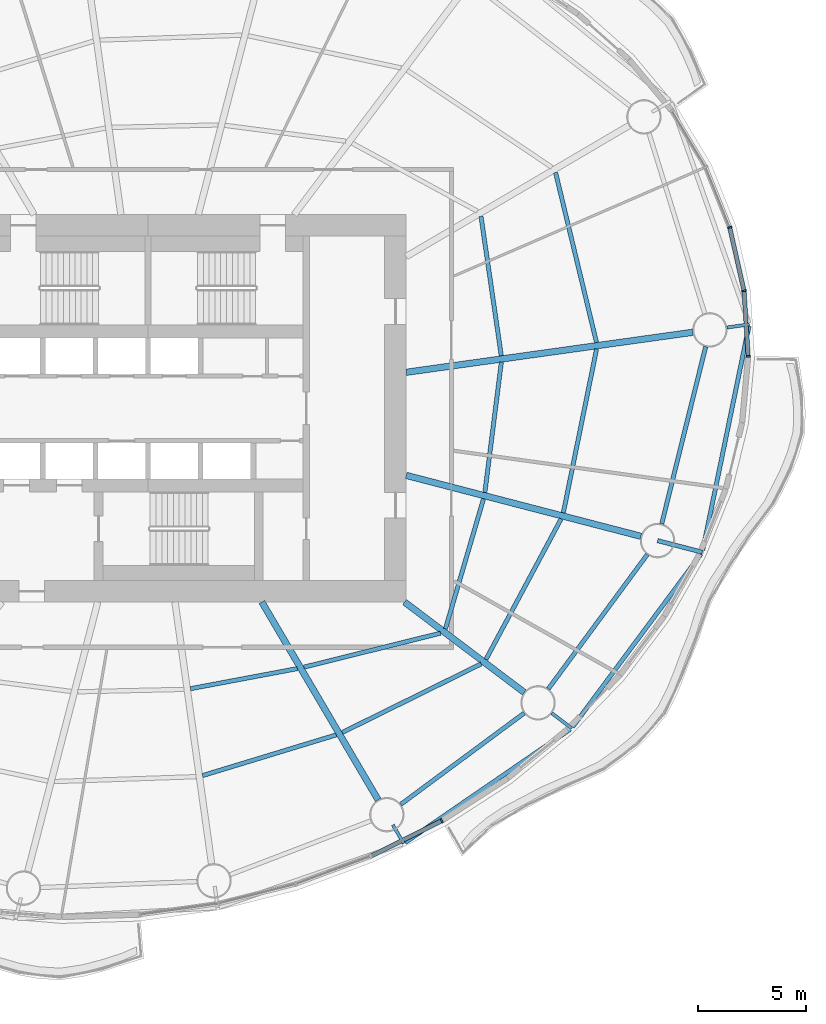
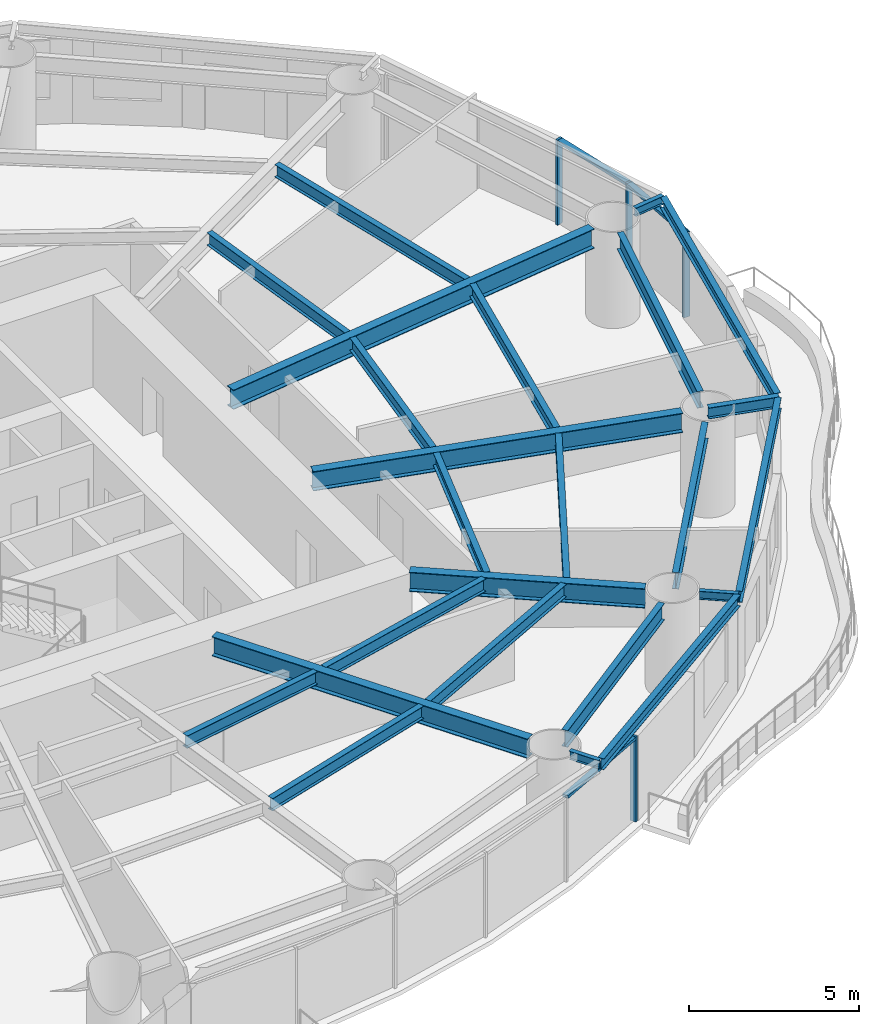
# One storey, part 4 of 16: 24 beams, 7 members, 4 elements without a shape of their own.
"""IFC4 building model written with IfcOpenShell, lengths in metres."""

from ifc_helpers import new_model, si_unit, direction, frame, origin, origin_2d, place, context, subcontext, project, spatial, rectangle, i_section, extrude, material, material_profile, profile_set, type_object, element, aggregate, save


model = new_model("IFC4")

# Units and contexts
model_context = context("Model", 3, precision=1e-05, world=origin(), true_north=direction((0.0, 1.0)))
body_context = subcontext(model_context, "Body", "Model", "MODEL_VIEW")
ifc_project = project(units=[si_unit("LENGTHUNIT", "METRE"), si_unit("AREAUNIT", "SQUARE_METRE"), si_unit("VOLUMEUNIT", "CUBIC_METRE"), si_unit("PLANEANGLEUNIT", "RADIAN"), si_unit("MASSUNIT", "GRAM", prefix="KILO")], contexts=[model_context])

# Site, building, storey
site_placement = place(None, origin())
site = spatial("IfcSite", under=ifc_project, at=site_placement, CompositionType="ELEMENT")
building_placement = place(site_placement, origin())
building = spatial("IfcBuilding", under=site, at=building_placement, Name="Vermilion Reach Broadcast Tower", CompositionType="ELEMENT")
storey_placement = place(building_placement, frame((0.0, 0.0, 103.0)))
storey = spatial("IfcBuildingStorey", under=building, at=storey_placement, Name="L23", CompositionType="ELEMENT", Elevation=103.0)

# Beams
ifc_material_1 = material(Name="Steel S355J2", Category="steel")
ifc_material_profile_1 = material_profile(ifc_material_1, i_section(OverallWidth=0.199951171875, OverallDepth=0.39990234375, WebThickness=0.008056640625, FlangeThickness=0.012939453125, at=origin_2d()), Name="S355J2 HN 400x200x8x13")
ifc_profile_set_1 = profile_set([ifc_material_profile_1], Name="Steel S355J2")
beam_type_1 = type_object("IfcBeamType", Name="EB2 HN 400x200x8x13", PredefinedType="BEAM", material=ifc_profile_set_1)
beam_1_placement = place(storey_placement, frame((5.9482421875, -20.176513671875, 3.25), z_axis=(0.824444973013, 0.565942122901, 0.0), x_axis=(-0.565942122901, 0.824444973013, 0.0)))
element("IfcBeam", 1, at=beam_1_placement, inside=storey, type_object=beam_type_1, Name="Edge beam EB2-13", PredefinedType="BEAM", context=body_context, shape_type="SweptSolid", body=[
    extrude(i_section(OverallWidth=0.199951171875, OverallDepth=0.39990234375, WebThickness=0.008056640625, FlangeThickness=0.012939453125, at=origin_2d()), origin(), (0.0, 0.0, 1.0), 9.309326171875),
])
beam_2_placement = place(storey_placement, frame((13.733154296875, -14.802978515625, 3.25), z_axis=(0.596000802444, 0.802983837624, 0.0), x_axis=(-0.802983837624, 0.596000802444, 0.0)))
element("IfcBeam", 2, at=beam_2_placement, inside=storey, type_object=beam_type_1, Name="Edge beam EB2-14", PredefinedType="BEAM", context=body_context, shape_type="SweptSolid", body=[
    extrude(i_section(OverallWidth=0.199951171875, OverallDepth=0.39990234375, WebThickness=0.008056640625, FlangeThickness=0.012939453125, at=origin_2d()), origin(), (0.0, 0.0, 1.0), 10.001220703125),
])
beam_3_placement = place(storey_placement, frame((19.7783203125, -6.58740234375, 3.25), z_axis=(0.201942572972, 0.979397364312, 0.0), x_axis=(-0.979397364312, 0.201942572972, 0.0)))
element("IfcBeam", 3, at=beam_3_placement, inside=storey, type_object=beam_type_1, Name="Edge beam EB2-15", PredefinedType="BEAM", context=body_context, shape_type="SweptSolid", body=[
    extrude(i_section(OverallWidth=0.199951171875, OverallDepth=0.39990234375, WebThickness=0.008056640625, FlangeThickness=0.012939453125, at=origin_2d()), origin(), (0.0, 0.0, 1.0), 10.63037109375),
])
ifc_material_2 = material(Name="Steel S355J2", Category="steel")
ifc_material_profile_2 = material_profile(ifc_material_2, i_section(OverallWidth=0.300048828125, OverallDepth=0.699951171875, WebThickness=0.012939453125, FlangeThickness=0.02392578125, at=origin_2d()), Name="S355J2 HN 700x300x13x24")
ifc_profile_set_2 = profile_set([ifc_material_profile_2], Name="Steel S355J2")
beam_type_2 = type_object("IfcBeamType", Name="G2 HN 700x300x13x24", PredefinedType="BEAM", material=ifc_profile_set_2)
beam_4_placement = place(storey_placement, frame((-0.709228515625, -9.0, 3.10009765625), z_axis=(0.506783943634, -0.862073102744, 0.0), x_axis=(0.862073102744, 0.506783943634, 0.0)))
element("IfcBeam", 4, at=beam_4_placement, inside=storey, type_object=beam_type_2, Name="Girder G2-13", PredefinedType="BEAM", context=body_context, shape_type="SweptSolid", body=[
    extrude(i_section(OverallWidth=0.300048828125, OverallDepth=0.699951171875, WebThickness=0.012939453125, FlangeThickness=0.02392578125, at=origin_2d()), origin(), (0.0, 0.0, 1.0), 10.661865234375),
])
beam_5_placement = place(storey_placement, frame((5.921630859375, -9.0, 3.10009765625), z_axis=(0.798113534072, -0.602507084382, 0.0), x_axis=(0.602507084382, 0.798113534072, 0.0)))
element("IfcBeam", 5, at=beam_5_placement, inside=storey, type_object=beam_type_2, Name="Girder G2-14", PredefinedType="BEAM", context=body_context, shape_type="SweptSolid", body=[
    extrude(i_section(OverallWidth=0.300048828125, OverallDepth=0.699951171875, WebThickness=0.012939453125, FlangeThickness=0.02392578125, at=origin_2d()), origin(), (0.0, 0.0, 1.0), 6.971923828125),
])
beam_6_placement = place(storey_placement, frame((6.0, -3.114501953125, 3.10009765625), z_axis=(0.967926079816, -0.2512351568, 0.0), x_axis=(0.2512351568, 0.967926079816, 0.0)))
element("IfcBeam", 6, at=beam_6_placement, inside=storey, type_object=beam_type_2, Name="Girder G2-15", PredefinedType="BEAM", context=body_context, shape_type="SweptSolid", body=[
    extrude(i_section(OverallWidth=0.300048828125, OverallDepth=0.699951171875, WebThickness=0.012939453125, FlangeThickness=0.02392578125, at=origin_2d()), origin(), (0.0, 0.0, 1.0), 11.265625),
])
beam_7_placement = place(storey_placement, frame((6.0, 1.67578125, 3.10009765625), z_axis=(0.990389457618, 0.138306623986, 0.0), x_axis=(-0.138306623986, 0.990389457618, 0.0)))
element("IfcBeam", 7, at=beam_7_placement, inside=storey, type_object=beam_type_2, Name="Girder G2-16", PredefinedType="BEAM", context=body_context, shape_type="SweptSolid", body=[
    extrude(i_section(OverallWidth=0.300048828125, OverallDepth=0.699951171875, WebThickness=0.012939453125, FlangeThickness=0.02392578125, at=origin_2d()), origin(), (0.0, 0.0, 1.0), 13.445556640625),
])
ifc_material_3 = material(Name="Steel S355J2", Category="steel")
ifc_material_profile_3 = material_profile(ifc_material_3, i_section(OverallWidth=0.199951171875, OverallDepth=0.39990234375, WebThickness=0.008056640625, FlangeThickness=0.012939453125, at=origin_2d()), Name="S355J2 HN 400x200x8x13")
ifc_profile_set_3 = profile_set([ifc_material_profile_3], Name="Steel S355J2")
beam_type_3 = type_object("IfcBeamType", Name="GC2 HN 400x200x8x13", PredefinedType="BEAM", material=ifc_profile_set_3)
beam_8_placement = place(storey_placement, frame((17.6787109375, -6.145751953125, 3.25), z_axis=(0.967917093064, -0.251269777241, 0.0), x_axis=(0.251269777241, 0.967917093064, 0.0)))
element("IfcBeam", 8, at=beam_8_placement, inside=storey, type_object=beam_type_3, Name="Cantilever girder GC2-15", PredefinedType="BEAM", context=body_context, shape_type="SweptSolid", body=[
    extrude(i_section(OverallWidth=0.199951171875, OverallDepth=0.39990234375, WebThickness=0.008056640625, FlangeThickness=0.012939453125, at=origin_2d()), origin(), (0.0, 0.0, 1.0), 2.148193359375),
])
ifc_material_4 = material(Name="Steel S355J2", Category="steel")
ifc_material_profile_4 = material_profile(ifc_material_4, i_section(OverallWidth=0.14990234375, OverallDepth=0.300048828125, WebThickness=0.006591796875, FlangeThickness=0.009033203125, at=origin_2d()), Name="S355J2 HN 300x150x6.5x9")
ifc_profile_set_4 = profile_set([ifc_material_profile_4], Name="Steel S355J2")
beam_type_4 = type_object("IfcBeamType", Name="GS2 HN 300x150x6.5x9", PredefinedType="BEAM", material=ifc_profile_set_4)
beam_9_placement = place(storey_placement, frame((5.37939453125, -19.35693359375, 3.300048828125), z_axis=(0.506828068037, -0.862047161964, 0.0), x_axis=(0.862047161964, 0.506828068037, 0.0)))
element("IfcBeam", 9, at=beam_9_placement, inside=storey, type_object=beam_type_4, Name="Cantilever stub GS2-13", PredefinedType="BEAM", context=body_context, shape_type="SweptSolid", body=[
    extrude(i_section(OverallWidth=0.14990234375, OverallDepth=0.300048828125, WebThickness=0.006591796875, FlangeThickness=0.009033203125, at=origin_2d()), origin(), (0.0, 0.0, 1.0), 1.0),
])
beam_10_placement = place(storey_placement, frame((12.762939453125, -14.16455078125, 3.300048828125), z_axis=(0.798101283715, -0.602523311526, 0.0), x_axis=(0.602523311526, 0.798101283715, 0.0)))
element("IfcBeam", 10, at=beam_10_placement, inside=storey, type_object=beam_type_4, Name="Cantilever stub GS2-14", PredefinedType="BEAM", context=body_context, shape_type="SweptSolid", body=[
    extrude(i_section(OverallWidth=0.14990234375, OverallDepth=0.300048828125, WebThickness=0.006591796875, FlangeThickness=0.009033203125, at=origin_2d()), origin(), (0.0, 0.0, 1.0), 1.15966796875),
])
beam_11_placement = place(storey_placement, frame((20.901123046875, 3.7568359375, 3.300048828125), z_axis=(0.990386386353, 0.138328614995, 0.0), x_axis=(-0.138328614995, 0.990386386353, 0.0)))
element("IfcBeam", 11, at=beam_11_placement, inside=storey, type_object=beam_type_4, Name="Cantilever stub GS2-16", PredefinedType="BEAM", context=body_context, shape_type="SweptSolid", body=[
    extrude(i_section(OverallWidth=0.14990234375, OverallDepth=0.300048828125, WebThickness=0.006591796875, FlangeThickness=0.009033203125, at=origin_2d()), origin(), (0.0, 0.0, 1.0), 1.050048828125),
])
ifc_material_5 = material(Name="Steel S355J2", Category="steel")
ifc_material_profile_5 = material_profile(ifc_material_5, i_section(OverallWidth=0.199951171875, OverallDepth=0.60009765625, WebThickness=0.010986328125, FlangeThickness=0.01708984375, at=origin_2d()), Name="S355J2 HN 600x200x11x17")
ifc_profile_set_5 = profile_set([ifc_material_profile_5], Name="Steel S355J2")
beam_type_5 = type_object("IfcBeamType", Name="RB2 HN 600x200x11x17", PredefinedType="BEAM", material=ifc_profile_set_5)
beam_12_placement = place(storey_placement, frame((5.74267578125, -18.4052734375, 3.14990234375), z_axis=(0.803832742218, 0.594855379515, 0.0), x_axis=(-0.594855379515, 0.803832742218, 0.0)))
element("IfcBeam", 12, at=beam_12_placement, inside=storey, type_object=beam_type_5, Name="Ring beam RB2-13", PredefinedType="BEAM", context=body_context, shape_type="SweptSolid", body=[
    extrude(i_section(OverallWidth=0.199951171875, OverallDepth=0.60009765625, WebThickness=0.010986328125, FlangeThickness=0.01708984375, at=origin_2d()), origin(), (0.0, 0.0, 1.0), 7.13916015625),
])
beam_13_placement = place(storey_placement, frame((12.59912109375, -13.03857421875, 3.14990234375), z_axis=(0.593250534798, 0.80501788984, 0.0), x_axis=(-0.80501788984, 0.593250534798, 0.0)))
element("IfcBeam", 13, at=beam_13_placement, inside=storey, type_object=beam_type_5, Name="Ring beam RB2-14", PredefinedType="BEAM", context=body_context, shape_type="SweptSolid", body=[
    extrude(i_section(OverallWidth=0.199951171875, OverallDepth=0.60009765625, WebThickness=0.010986328125, FlangeThickness=0.01708984375, at=origin_2d()), origin(), (0.0, 0.0, 1.0), 7.76220703125),
])
beam_14_placement = place(storey_placement, frame((17.871337890625, -5.369384765625, 3.14990234375), z_axis=(0.240863809798, 0.970558924089, 0.0), x_axis=(-0.970558924089, 0.240863809798, 0.0)))
element("IfcBeam", 14, at=beam_14_placement, inside=storey, type_object=beam_type_5, Name="Ring beam RB2-15", PredefinedType="BEAM", context=body_context, shape_type="SweptSolid", body=[
    extrude(i_section(OverallWidth=0.199951171875, OverallDepth=0.60009765625, WebThickness=0.010986328125, FlangeThickness=0.01708984375, at=origin_2d()), origin(), (0.0, 0.0, 1.0), 8.489013671875),
])
ifc_material_6 = material(Name="Steel S355J2", Category="steel")
ifc_material_profile_6 = material_profile(ifc_material_6, i_section(OverallWidth=0.199951171875, OverallDepth=0.449951171875, WebThickness=0.009033203125, FlangeThickness=0.013916015625, at=origin_2d()), Name="S355J2 HN 450x200x9x14")
ifc_profile_set_6 = profile_set([ifc_material_profile_6], Name="Steel S355J2")
beam_type_6 = type_object("IfcBeamType", Name="SB2 HN 450x200x9x14", PredefinedType="BEAM", material=ifc_profile_set_6)
beam_15_placement = place(storey_placement, frame((-4.029296875, -13.026611328125, 3.22509765625), z_axis=(0.982782890015, 0.184764149915, 0.0), x_axis=(-0.184764149915, 0.982782890015, 0.0)))
element("IfcBeam", 15, at=beam_15_placement, inside=storey, type_object=beam_type_6, Name="Secondary beam SB2-12-1", PredefinedType="BEAM", context=body_context, shape_type="SweptSolid", body=[
    extrude(i_section(OverallWidth=0.199951171875, OverallDepth=0.449951171875, WebThickness=0.009033203125, FlangeThickness=0.013916015625, at=origin_2d()), origin(), (0.0, 0.0, 1.0), 5.051513671875),
])
beam_16_placement = place(storey_placement, frame((-3.46533203125, -17.064697265625, 3.22509765625), z_axis=(0.956596430605, 0.291415972374, 0.0), x_axis=(-0.291415972374, 0.956596430605, 0.0)))
element("IfcBeam", 16, at=beam_16_placement, inside=storey, type_object=beam_type_6, Name="Secondary beam SB2-12-2", PredefinedType="BEAM", context=body_context, shape_type="SweptSolid", body=[
    extrude(i_section(OverallWidth=0.199951171875, OverallDepth=0.449951171875, WebThickness=0.009033203125, FlangeThickness=0.013916015625, at=origin_2d()), origin(), (0.0, 0.0, 1.0), 6.49267578125),
])
beam_17_placement = place(storey_placement, frame((1.24365234375, -12.026123046875, 3.22509765625), z_axis=(0.970396717612, 0.241516480695, 0.0), x_axis=(-0.241516480695, 0.970396717612, 0.0)))
element("IfcBeam", 17, at=beam_17_placement, inside=storey, type_object=beam_type_6, Name="Secondary beam SB2-13-1", PredefinedType="BEAM", context=body_context, shape_type="SweptSolid", body=[
    extrude(i_section(OverallWidth=0.199951171875, OverallDepth=0.449951171875, WebThickness=0.009033203125, FlangeThickness=0.013916015625, at=origin_2d()), origin(), (0.0, 0.0, 1.0), 6.539306640625),
])
beam_18_placement = place(storey_placement, frame((3.02783203125, -15.06103515625, 3.22509765625), z_axis=(0.896648255868, 0.442743611189, 0.0), x_axis=(-0.442743611189, 0.896648255868, 0.0)))
element("IfcBeam", 18, at=beam_18_placement, inside=storey, type_object=beam_type_6, Name="Secondary beam SB2-13-2", PredefinedType="BEAM", context=body_context, shape_type="SweptSolid", body=[
    extrude(i_section(OverallWidth=0.199951171875, OverallDepth=0.449951171875, WebThickness=0.009033203125, FlangeThickness=0.013916015625, at=origin_2d()), origin(), (0.0, 0.0, 1.0), 7.19677734375),
])
beam_19_placement = place(storey_placement, frame((7.821533203125, -10.246337890625, 3.22509765625), z_axis=(0.281175657723, 0.959656318431, 0.0), x_axis=(-0.959656318431, 0.281175657723, 0.0)))
element("IfcBeam", 19, at=beam_19_placement, inside=storey, type_object=beam_type_6, Name="Secondary beam SB2-14-1", PredefinedType="BEAM", context=body_context, shape_type="SweptSolid", body=[
    extrude(i_section(OverallWidth=0.199951171875, OverallDepth=0.449951171875, WebThickness=0.009033203125, FlangeThickness=0.013916015625, at=origin_2d()), origin(), (0.0, 0.0, 1.0), 6.298583984375),
])
beam_20_placement = place(storey_placement, frame((9.702880859375, -11.66650390625, 3.22509765625), z_axis=(0.471821551693, 0.881694064491, 0.0), x_axis=(-0.881694064491, 0.471821551693, 0.0)))
element("IfcBeam", 20, at=beam_20_placement, inside=storey, type_object=beam_type_6, Name="Secondary beam SB2-14-2", PredefinedType="BEAM", context=body_context, shape_type="SweptSolid", body=[
    extrude(i_section(OverallWidth=0.199951171875, OverallDepth=0.449951171875, WebThickness=0.009033203125, FlangeThickness=0.013916015625, at=origin_2d()), origin(), (0.0, 0.0, 1.0), 7.405029296875),
])
beam_21_placement = place(storey_placement, frame((9.65380859375, -3.907958984375, 3.22509765625), z_axis=(0.125557241128, 0.992086376885, 0.0), x_axis=(-0.992086376885, 0.125557241128, 0.0)))
element("IfcBeam", 21, at=beam_21_placement, inside=storey, type_object=beam_type_6, Name="Secondary beam SB2-15-1", PredefinedType="BEAM", context=body_context, shape_type="SweptSolid", body=[
    extrude(i_section(OverallWidth=0.199951171875, OverallDepth=0.449951171875, WebThickness=0.009033203125, FlangeThickness=0.013916015625, at=origin_2d()), origin(), (0.0, 0.0, 1.0), 6.097900390625),
])
beam_22_placement = place(storey_placement, frame((13.29931640625, -4.854248046875, 3.22509765625), z_axis=(0.19906416804, 0.979986457561, 0.0), x_axis=(-0.979986457561, 0.19906416804, 0.0)))
element("IfcBeam", 22, at=beam_22_placement, inside=storey, type_object=beam_type_6, Name="Secondary beam SB2-15-2", PredefinedType="BEAM", context=body_context, shape_type="SweptSolid", body=[
    extrude(i_section(OverallWidth=0.199951171875, OverallDepth=0.449951171875, WebThickness=0.009033203125, FlangeThickness=0.013916015625, at=origin_2d()), origin(), (0.0, 0.0, 1.0), 7.76953125),
])
beam_23_placement = place(storey_placement, frame((10.417236328125, 2.444091796875, 3.22509765625), z_axis=(-0.143973706518, 0.989581513485, 0.0), x_axis=(-0.989581513485, -0.143973706518, 0.0)))
element("IfcBeam", 23, at=beam_23_placement, inside=storey, type_object=beam_type_6, Name="Secondary beam SB2-16-1", PredefinedType="BEAM", context=body_context, shape_type="SweptSolid", body=[
    extrude(i_section(OverallWidth=0.199951171875, OverallDepth=0.449951171875, WebThickness=0.009033203125, FlangeThickness=0.013916015625, at=origin_2d()), origin(), (0.0, 0.0, 1.0), 6.547119140625),
])
beam_24_placement = place(storey_placement, frame((14.84228515625, 3.06201171875, 3.22509765625), z_axis=(-0.234260568382, 0.972173845617, 0.0), x_axis=(-0.972173845617, -0.234260568382, 0.0)))
element("IfcBeam", 24, at=beam_24_placement, inside=storey, type_object=beam_type_6, Name="Secondary beam SB2-16-2", PredefinedType="BEAM", context=body_context, shape_type="SweptSolid", body=[
    extrude(i_section(OverallWidth=0.199951171875, OverallDepth=0.449951171875, WebThickness=0.009033203125, FlangeThickness=0.013916015625, at=origin_2d()), origin(), (0.0, 0.0, 1.0), 8.123779296875),
])

# Curtain wall, member
ifc_material_7 = material(Name="Low-e laminated clear glass in aluminium frame", Category="aluminium")
curtain_wall_type = type_object("IfcCurtainWallType", Name="Slot curtain wall", PredefinedType="NOTDEFINED", material=ifc_material_7)
placement = place(storey_placement, origin())
curtain_wall_1 = element("IfcCurtainWall", 25, at=placement, inside=storey, type_object=curtain_wall_type, Name="Slot curtain wall L23 46", PredefinedType="NOTDEFINED")
ifc_material_8 = material(Name="Anodised aluminium", Category="aluminium")
ifc_material_profile_7 = material_profile(ifc_material_8, rectangle(XDim=0.199951171875, YDim=0.080078125, at=origin_2d()), Name="Slot mullion 80 x 200")
ifc_profile_set_7 = profile_set([ifc_material_profile_7], Name="Anodised aluminium")
member_type_1 = type_object("IfcMemberType", Name="Slot mullion 80 x 200", PredefinedType="MULLION", material=ifc_profile_set_7)
member_1_placement = place(storey_placement, frame((21.888671875, 2.4189453125, 0.0), z_axis=(0.0, 0.0, 1.0), x_axis=(-0.999904119427, 0.013847452963, 0.0)))
member_1 = element("IfcMember", 26, at=member_1_placement, type_object=member_type_1, Name="Slot mullion L23 46", PredefinedType="MULLION", context=body_context, shape_type="SweptSolid", body=[
    extrude(rectangle(XDim=0.199951171875, YDim=0.080078125, at=origin_2d()), origin(), (0.0, 0.0, 1.0), 3.050048828125),
])

curtain_wall_2 = element("IfcCurtainWall", 27, at=placement, inside=storey, type_object=curtain_wall_type, Name="Slot curtain wall L23 47", PredefinedType="NOTDEFINED")
member_2_placement = place(storey_placement, frame((21.6953125, 5.460693359375, 0.0), z_axis=(0.0, 0.0, 1.0), x_axis=(-0.989847979993, -0.142130139325, 0.0)))
member_2 = element("IfcMember", 28, at=member_2_placement, type_object=member_type_1, Name="Slot mullion L23 47", PredefinedType="MULLION", context=body_context, shape_type="SweptSolid", body=[
    extrude(rectangle(XDim=0.199951171875, YDim=0.080078125, at=origin_2d()), origin(), (0.0, 0.0, 1.0), 3.050048828125),
])

curtain_wall_3 = element("IfcCurtainWall", 29, at=placement, inside=storey, type_object=curtain_wall_type, Name="Slot curtain wall L23 00", PredefinedType="NOTDEFINED")
member_3_placement = place(storey_placement, frame((21.030517578125, 8.40869140625, 0.0), z_axis=(0.0, 0.0, 1.0), x_axis=(-0.954864549775, -0.297041565411, 0.0)))
member_3 = element("IfcMember", 30, at=member_3_placement, type_object=member_type_1, Name="Slot mullion L23 00", PredefinedType="MULLION", context=body_context, shape_type="SweptSolid", body=[
    extrude(rectangle(XDim=0.199951171875, YDim=0.080078125, at=origin_2d()), origin(), (0.0, 0.0, 1.0), 3.050048828125),
])
aggregate(curtain_wall_3, [member_3])

curtain_wall_4 = element("IfcCurtainWall", 31, at=placement, inside=storey, type_object=curtain_wall_type, Name="Slot curtain wall L23 37", PredefinedType="NOTDEFINED")
member_4_placement = place(storey_placement, frame((7.64794921875, -19.162109375, 0.0), z_axis=(0.0, 0.0, 1.0), x_axis=(-0.495170529438, 0.868795802693, 0.0)))
member_4 = element("IfcMember", 32, at=member_4_placement, type_object=member_type_1, Name="Slot mullion L23 38", PredefinedType="MULLION", context=body_context, shape_type="SweptSolid", body=[
    extrude(rectangle(XDim=0.199951171875, YDim=0.080078125, at=origin_2d()), origin(), (0.0, 0.0, 1.0), 3.050048828125),
])

# Member
ifc_material_9 = material(Name="Anodised aluminium", Category="aluminium")
ifc_material_profile_8 = material_profile(ifc_material_9, rectangle(XDim=0.199951171875, YDim=0.10009765625, at=origin_2d()), Name="Slot transom 200 x 100")
ifc_profile_set_8 = profile_set([ifc_material_profile_8], Name="Anodised aluminium")
member_type_2 = type_object("IfcMemberType", Name="Slot transom 200 x 100", PredefinedType="USERDEFINED", material=ifc_profile_set_8)
member_5_placement = place(storey_placement, frame((21.885986328125, 2.458984375, 3.0), z_axis=(-0.063341064354, 0.997991938628, 0.0), x_axis=(-0.997991938628, -0.063341064354, 0.0)))
member_5 = element("IfcMember", 33, at=member_5_placement, type_object=member_type_2, Name="Slot transom L23 46.1", ObjectType="TRANSOM", PredefinedType="USERDEFINED", context=body_context, shape_type="SweptSolid", body=[
    extrude(rectangle(XDim=0.199951171875, YDim=0.10009765625, at=origin_2d()), origin(), (0.0, 0.0, 1.0), 2.9677734375),
])

aggregate(curtain_wall_1, [member_1, member_5])

member_6_placement = place(storey_placement, frame((21.6865234375, 5.499755859375, 3.0), z_axis=(-0.219916993516, 0.97551858822, 0.0), x_axis=(-0.97551858822, -0.219916993516, 0.0)))
member_6 = element("IfcMember", 34, at=member_6_placement, type_object=member_type_2, Name="Slot transom L23 47.1", ObjectType="TRANSOM", PredefinedType="USERDEFINED", context=body_context, shape_type="SweptSolid", body=[
    extrude(rectangle(XDim=0.199951171875, YDim=0.10009765625, at=origin_2d()), origin(), (0.0, 0.0, 1.0), 2.94189453125),
])

aggregate(curtain_wall_2, [member_2, member_6])

member_7_placement = place(storey_placement, frame((4.385986328125, -20.791015625, 3.0), z_axis=(0.894643739588, 0.446780235927, 0.0), x_axis=(-0.446780235927, 0.894643739588, 0.0)))
member_7 = element("IfcMember", 35, at=member_7_placement, type_object=member_type_2, Name="Slot transom L23 37.1", ObjectType="TRANSOM", PredefinedType="USERDEFINED", context=body_context, shape_type="SweptSolid", body=[
    extrude(rectangle(XDim=0.199951171875, YDim=0.10009765625, at=origin_2d()), origin(), (0.0, 0.0, 1.0), 3.60595703125),
])

aggregate(curtain_wall_4, [member_4, member_7])

save(model, "model.ifc")
